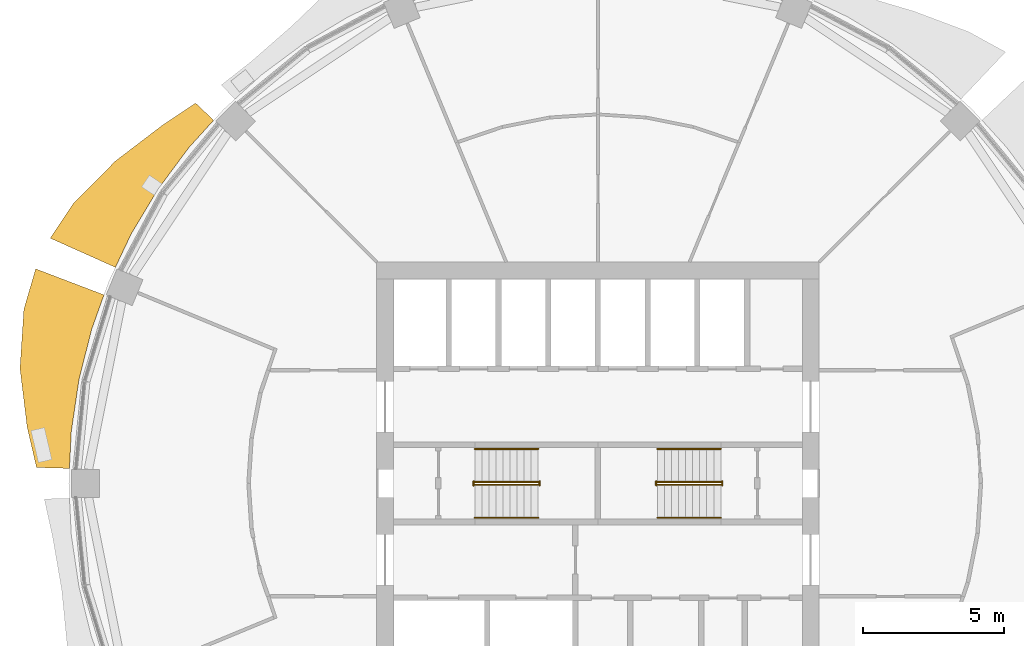
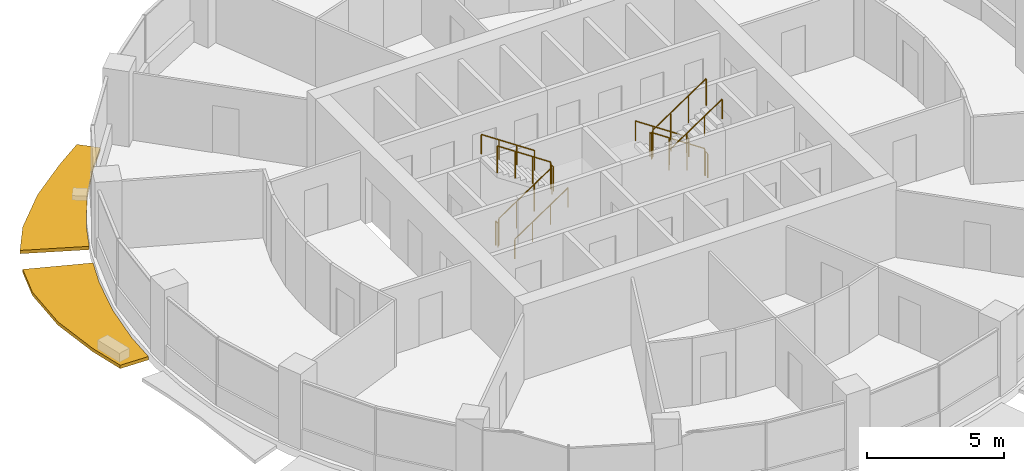
# One storey, part 13 of 15: 12 railings, 2 shading devices.
"""IFC4 building model written with IfcOpenShell, lengths in metres."""

from ifc_helpers import new_model, si_unit, direction, frame, origin, origin_2d, place, context, subcontext, project, spatial, polyline, circle, outline, extrude, material, type_object, element, save


model = new_model("IFC4")

# Units and contexts
model_context = context("Model", 3, precision=1e-05, world=origin(), true_north=direction((0.0, 1.0)))
body_context = subcontext(model_context, "Body", "Model", "MODEL_VIEW")
ifc_project = project(units=[si_unit("LENGTHUNIT", "METRE"), si_unit("AREAUNIT", "SQUARE_METRE"), si_unit("VOLUMEUNIT", "CUBIC_METRE"), si_unit("PLANEANGLEUNIT", "RADIAN"), si_unit("MASSUNIT", "GRAM", prefix="KILO")], contexts=[model_context])

# Site, building, storey
site_placement = place(None, origin())
site = spatial("IfcSite", under=ifc_project, at=site_placement, CompositionType="ELEMENT")
building_placement = place(site_placement, origin())
building = spatial("IfcBuilding", under=site, at=building_placement, Name="Polderwave Tower", CompositionType="ELEMENT")
storey_placement = place(building_placement, frame((0.0, 0.0, 151.10009765625)))
storey = spatial("IfcBuildingStorey", under=building, at=storey_placement, Name="L40", CompositionType="ELEMENT", Elevation=151.10009765625)

# Railings
ifc_material_1 = material(Name="Stainless steel", Category="steel")
railing_type_1 = type_object("IfcRailingType", Name="Stair guard 1100", PredefinedType="GUARDRAIL", material=ifc_material_1)
railing_1_placement = place(storey_placement, frame((-4.3740234375, -0.051025390625, 0.04736328125)))
element("IfcRailing", 1, at=railing_1_placement, inside=storey, type_object=railing_type_1, Name="L40 ST-A stair guard 1", PredefinedType="GUARDRAIL", context=body_context, shape_type="SweptSolid", body=[
    extrude(circle(Radius=0.02392578125, at=origin_2d()), frame((0.0, 0.0, 1.1962890625), z_axis=(0.830799990696, 0.0, 0.556571087517), x_axis=(0.0, 1.0, 0.0)), (0.0, 0.0, 1.0), 2.708251953125),
    extrude(circle(Radius=0.02392578125, at=origin_2d()), origin(), (0.0, 0.0, 1.0), 1.172119140625),
    extrude(circle(Radius=0.02392578125, at=origin_2d()), frame((0.75, 0.0, 0.50244140625)), (0.0, 0.0, 1.0), 1.172119140625),
    extrude(circle(Radius=0.02392578125, at=origin_2d()), frame((1.5, 0.0, 1.0048828125)), (0.0, 0.0, 1.0), 1.172119140625),
    extrude(circle(Radius=0.02392578125, at=origin_2d()), frame((2.25, 0.0, 1.50732421875)), (0.0, 0.0, 1.0), 1.172119140625),
])
railing_2_placement = place(storey_placement, frame((-2.073974609375, -0.074951171875, 1.6748046875)))
element("IfcRailing", 2, at=railing_2_placement, inside=storey, type_object=railing_type_1, Name="L40 ST-A stair guard 2", PredefinedType="GUARDRAIL", context=body_context, shape_type="SweptSolid", body=[
    extrude(circle(Radius=0.02392578125, at=origin_2d()), frame((0.0, 0.0, 1.076171875), z_axis=(0.0, 1.0, 0.0), x_axis=(-1.0, 0.0, 0.0)), (0.0, 0.0, 1.0), 0.14990234375),
    extrude(circle(Radius=0.02099609375, at=origin_2d()), origin(), (0.0, 0.0, 1.0), 1.052001953125),
    extrude(circle(Radius=0.02099609375, at=origin_2d()), frame((0.0, 0.14990234375, 0.0)), (0.0, 0.0, 1.0), 1.052001953125),
])
railing_3_placement = place(storey_placement, frame((-2.1240234375, 0.051025390625, 1.72216796875)))
element("IfcRailing", 3, at=railing_3_placement, inside=storey, type_object=railing_type_1, Name="L40 ST-A stair guard 3", PredefinedType="GUARDRAIL", context=body_context, shape_type="SweptSolid", body=[
    extrude(circle(Radius=0.02392578125, at=origin_2d()), frame((0.0, 0.0, 1.1962890625), z_axis=(-0.830758306289, 0.0, 0.556633305266), x_axis=(0.0, -1.0, 0.0)), (0.0, 0.0, 1.0), 2.708251953125),
    extrude(circle(Radius=0.02392578125, at=origin_2d()), origin(), (0.0, 0.0, 1.0), 1.172119140625),
    extrude(circle(Radius=0.02392578125, at=origin_2d()), frame((-0.75, 0.0, 0.50244140625)), (0.0, 0.0, 1.0), 1.172119140625),
    extrude(circle(Radius=0.02392578125, at=origin_2d()), frame((-1.5, 0.0, 1.005126953125)), (0.0, 0.0, 1.0), 1.172119140625),
    extrude(circle(Radius=0.02392578125, at=origin_2d()), frame((-2.25, 0.0, 1.507568359375)), (0.0, 0.0, 1.0), 1.172119140625),
])
railing_4_placement = place(storey_placement, frame((-4.424072265625, -0.074951171875, 0.0)))
element("IfcRailing", 4, at=railing_4_placement, inside=storey, type_object=railing_type_1, Name="L40 ST-A stair guard 4", PredefinedType="GUARDRAIL", context=body_context, shape_type="SweptSolid", body=[
    extrude(circle(Radius=0.02392578125, at=origin_2d()), frame((0.0, 0.0, 1.076171875), z_axis=(0.0, 1.0, 0.0), x_axis=(-1.0, 0.0, 0.0)), (0.0, 0.0, 1.0), 0.14990234375),
    extrude(circle(Radius=0.02099609375, at=origin_2d()), origin(), (0.0, 0.0, 1.0), 1.052001953125),
    extrude(circle(Radius=0.02099609375, at=origin_2d()), frame((0.0, 0.14990234375, 0.0)), (0.0, 0.0, 1.0), 1.052001953125),
])
railing_5_placement = place(storey_placement, frame((4.3740234375, 0.051025390625, 0.04736328125)))
element("IfcRailing", 5, at=railing_5_placement, inside=storey, type_object=railing_type_1, Name="L40 ST-B stair guard 1", PredefinedType="GUARDRAIL", context=body_context, shape_type="SweptSolid", body=[
    extrude(circle(Radius=0.02392578125, at=origin_2d()), frame((0.0, 0.0, 1.1962890625), z_axis=(-0.830799990696, 0.0, 0.556571087517), x_axis=(0.0, -1.0, 0.0)), (0.0, 0.0, 1.0), 2.708251953125),
    extrude(circle(Radius=0.02392578125, at=origin_2d()), origin(), (0.0, 0.0, 1.0), 1.172119140625),
    extrude(circle(Radius=0.02392578125, at=origin_2d()), frame((-0.75, 0.0, 0.50244140625)), (0.0, 0.0, 1.0), 1.172119140625),
    extrude(circle(Radius=0.02392578125, at=origin_2d()), frame((-1.5, 0.0, 1.0048828125)), (0.0, 0.0, 1.0), 1.172119140625),
    extrude(circle(Radius=0.02392578125, at=origin_2d()), frame((-2.25, 0.0, 1.50732421875)), (0.0, 0.0, 1.0), 1.172119140625),
])
railing_6_placement = place(storey_placement, frame((2.073974609375, 0.074951171875, 1.6748046875)))
element("IfcRailing", 6, at=railing_6_placement, inside=storey, type_object=railing_type_1, Name="L40 ST-B stair guard 2", PredefinedType="GUARDRAIL", context=body_context, shape_type="SweptSolid", body=[
    extrude(circle(Radius=0.02392578125, at=origin_2d()), frame((0.0, 0.0, 1.076171875), z_axis=(0.0, -1.0, 0.0), x_axis=(1.0, 0.0, 0.0)), (0.0, 0.0, 1.0), 0.14990234375),
    extrude(circle(Radius=0.02099609375, at=origin_2d()), origin(), (0.0, 0.0, 1.0), 1.052001953125),
    extrude(circle(Radius=0.02099609375, at=origin_2d()), frame((0.0, -0.14990234375, 0.0)), (0.0, 0.0, 1.0), 1.052001953125),
])
railing_7_placement = place(storey_placement, frame((2.1240234375, -0.051025390625, 1.72216796875)))
element("IfcRailing", 7, at=railing_7_placement, inside=storey, type_object=railing_type_1, Name="L40 ST-B stair guard 3", PredefinedType="GUARDRAIL", context=body_context, shape_type="SweptSolid", body=[
    extrude(circle(Radius=0.02392578125, at=origin_2d()), frame((0.0, 0.0, 1.1962890625), z_axis=(0.830758306289, 0.0, 0.556633305266), x_axis=(0.0, 1.0, 0.0)), (0.0, 0.0, 1.0), 2.708251953125),
    extrude(circle(Radius=0.02392578125, at=origin_2d()), origin(), (0.0, 0.0, 1.0), 1.172119140625),
    extrude(circle(Radius=0.02392578125, at=origin_2d()), frame((0.75, 0.0, 0.50244140625)), (0.0, 0.0, 1.0), 1.172119140625),
    extrude(circle(Radius=0.02392578125, at=origin_2d()), frame((1.5, 0.0, 1.005126953125)), (0.0, 0.0, 1.0), 1.172119140625),
    extrude(circle(Radius=0.02392578125, at=origin_2d()), frame((2.25, 0.0, 1.507568359375)), (0.0, 0.0, 1.0), 1.172119140625),
])
railing_8_placement = place(storey_placement, frame((4.424072265625, 0.074951171875, 0.0)))
element("IfcRailing", 8, at=railing_8_placement, inside=storey, type_object=railing_type_1, Name="L40 ST-B stair guard 4", PredefinedType="GUARDRAIL", context=body_context, shape_type="SweptSolid", body=[
    extrude(circle(Radius=0.02392578125, at=origin_2d()), frame((0.0, 0.0, 1.076171875), z_axis=(0.0, -1.0, 0.0), x_axis=(1.0, 0.0, 0.0)), (0.0, 0.0, 1.0), 0.14990234375),
    extrude(circle(Radius=0.02099609375, at=origin_2d()), origin(), (0.0, 0.0, 1.0), 1.052001953125),
    extrude(circle(Radius=0.02099609375, at=origin_2d()), frame((0.0, -0.14990234375, 0.0)), (0.0, 0.0, 1.0), 1.052001953125),
])
railing_type_2 = type_object("IfcRailingType", Name="Stair handrail 900", PredefinedType="HANDRAIL", material=ifc_material_1)
railing_9_placement = place(storey_placement, frame((-4.3740234375, -1.22509765625, 0.16748046875)))
element("IfcRailing", 9, at=railing_9_placement, inside=storey, type_object=railing_type_2, Name="L40 ST-A stair handrail 1", PredefinedType="HANDRAIL", context=body_context, shape_type="SweptSolid", body=[
    extrude(circle(Radius=0.02392578125, at=origin_2d()), frame((0.0, 0.0, 0.8759765625), z_axis=(0.830799990696, 0.0, 0.556571087517), x_axis=(0.0, 1.0, 0.0)), (0.0, 0.0, 1.0), 2.708251953125),
    extrude(circle(Radius=0.02099609375, at=origin_2d()), origin(), (0.0, 0.0, 1.0), 0.851806640625),
    extrude(circle(Radius=0.02099609375, at=origin_2d()), frame((0.75, 0.0, 0.50244140625)), (0.0, 0.0, 1.0), 0.851806640625),
    extrude(circle(Radius=0.02099609375, at=origin_2d()), frame((1.5, 0.0, 1.0048828125)), (0.0, 0.0, 1.0), 0.851806640625),
    extrude(circle(Radius=0.02099609375, at=origin_2d()), frame((2.25, 0.0, 1.50732421875)), (0.0, 0.0, 1.0), 0.851806640625),
])
railing_10_placement = place(storey_placement, frame((-2.1240234375, 1.22509765625, 1.84228515625)))
element("IfcRailing", 10, at=railing_10_placement, inside=storey, type_object=railing_type_2, Name="L40 ST-A stair handrail 2", PredefinedType="HANDRAIL", context=body_context, shape_type="SweptSolid", body=[
    extrude(circle(Radius=0.02392578125, at=origin_2d()), frame((0.0, 0.0, 0.8759765625), z_axis=(-0.830758306289, 0.0, 0.556633305266), x_axis=(0.0, -1.0, 0.0)), (0.0, 0.0, 1.0), 2.708251953125),
    extrude(circle(Radius=0.02099609375, at=origin_2d()), origin(), (0.0, 0.0, 1.0), 0.851806640625),
    extrude(circle(Radius=0.02099609375, at=origin_2d()), frame((-0.75, 0.0, 0.50244140625)), (0.0, 0.0, 1.0), 0.851806640625),
    extrude(circle(Radius=0.02099609375, at=origin_2d()), frame((-1.5, 0.0, 1.005126953125)), (0.0, 0.0, 1.0), 0.851806640625),
    extrude(circle(Radius=0.02099609375, at=origin_2d()), frame((-2.25, 0.0, 1.507568359375)), (0.0, 0.0, 1.0), 0.851806640625),
])
railing_11_placement = place(storey_placement, frame((4.3740234375, 1.22509765625, 0.16748046875)))
element("IfcRailing", 11, at=railing_11_placement, inside=storey, type_object=railing_type_2, Name="L40 ST-B stair handrail 1", PredefinedType="HANDRAIL", context=body_context, shape_type="SweptSolid", body=[
    extrude(circle(Radius=0.02392578125, at=origin_2d()), frame((0.0, 0.0, 0.8759765625), z_axis=(-0.830799990696, 0.0, 0.556571087517), x_axis=(0.0, -1.0, 0.0)), (0.0, 0.0, 1.0), 2.708251953125),
    extrude(circle(Radius=0.02099609375, at=origin_2d()), origin(), (0.0, 0.0, 1.0), 0.851806640625),
    extrude(circle(Radius=0.02099609375, at=origin_2d()), frame((-0.75, 0.0, 0.50244140625)), (0.0, 0.0, 1.0), 0.851806640625),
    extrude(circle(Radius=0.02099609375, at=origin_2d()), frame((-1.5, 0.0, 1.0048828125)), (0.0, 0.0, 1.0), 0.851806640625),
    extrude(circle(Radius=0.02099609375, at=origin_2d()), frame((-2.25, 0.0, 1.50732421875)), (0.0, 0.0, 1.0), 0.851806640625),
])
railing_12_placement = place(storey_placement, frame((2.1240234375, -1.22509765625, 1.84228515625)))
element("IfcRailing", 12, at=railing_12_placement, inside=storey, type_object=railing_type_2, Name="L40 ST-B stair handrail 2", PredefinedType="HANDRAIL", context=body_context, shape_type="SweptSolid", body=[
    extrude(circle(Radius=0.02392578125, at=origin_2d()), frame((0.0, 0.0, 0.8759765625), z_axis=(0.830758306289, 0.0, 0.556633305266), x_axis=(0.0, 1.0, 0.0)), (0.0, 0.0, 1.0), 2.708251953125),
    extrude(circle(Radius=0.02099609375, at=origin_2d()), origin(), (0.0, 0.0, 1.0), 0.851806640625),
    extrude(circle(Radius=0.02099609375, at=origin_2d()), frame((0.75, 0.0, 0.50244140625)), (0.0, 0.0, 1.0), 0.851806640625),
    extrude(circle(Radius=0.02099609375, at=origin_2d()), frame((1.5, 0.0, 1.005126953125)), (0.0, 0.0, 1.0), 0.851806640625),
    extrude(circle(Radius=0.02099609375, at=origin_2d()), frame((2.25, 0.0, 1.507568359375)), (0.0, 0.0, 1.0), 0.851806640625),
])

# Shading devices
ifc_material_2 = material(Name="Terracotta", Category="masonry")
shading_device_type = type_object("IfcShadingDeviceType", Name="Terracotta sunshade band", PredefinedType="USERDEFINED", material=ifc_material_2)
shading_device_1_placement = place(storey_placement, frame((0.0, 0.0, -0.35009765625)))
element("IfcShadingDevice", 13, at=shading_device_1_placement, inside=storey, type_object=shading_device_type, Name="Sunshade band L40 7", ObjectType="SUNSHADE", PredefinedType="USERDEFINED", context=body_context, shape_type="SweptSolid", body=[
    extrude(outline(polyline([(-13.67138671875, 12.92138671875), (-14.555908203125, 11.945556640625), (-15.656494140625, 10.46142578125), (-16.606689453125, 8.87646484375), (-17.169677734375, 7.685791015625), (-19.489501953125, 8.724365234375), (-18.65478515625, 9.97119140625), (-17.1669921875, 11.470703125), (-15.5126953125, 12.73095703125), (-14.317626953125, 13.5322265625), (-13.67138671875, 12.92138671875)])), origin(), (0.0, 0.0, 1.0), 0.14990234375),
])
shading_device_2_placement = place(storey_placement, frame((0.0, 0.0, -0.35009765625)))
element("IfcShadingDevice", 14, at=shading_device_2_placement, inside=storey, type_object=shading_device_type, Name="Sunshade band L40 8", ObjectType="SUNSHADE", PredefinedType="USERDEFINED", context=body_context, shape_type="SweptSolid", body=[
    extrude(outline(polyline([(-17.575439453125, 6.7060546875), (-18.019287109375, 5.466064453125), (-18.46826171875, 3.673583984375), (-18.7392578125, 1.845703125), (-18.803955078125, 0.5302734375), (-19.9755859375, 0.563232421875), (-20.3095703125, 2.000244140625), (-20.564208984375, 4.090576171875), (-20.426025390625, 6.1962890625), (-20.004638671875, 7.6328125), (-17.575439453125, 6.7060546875)])), origin(), (0.0, 0.0, 1.0), 0.14990234375),
])

save(model, "model.ifc")
